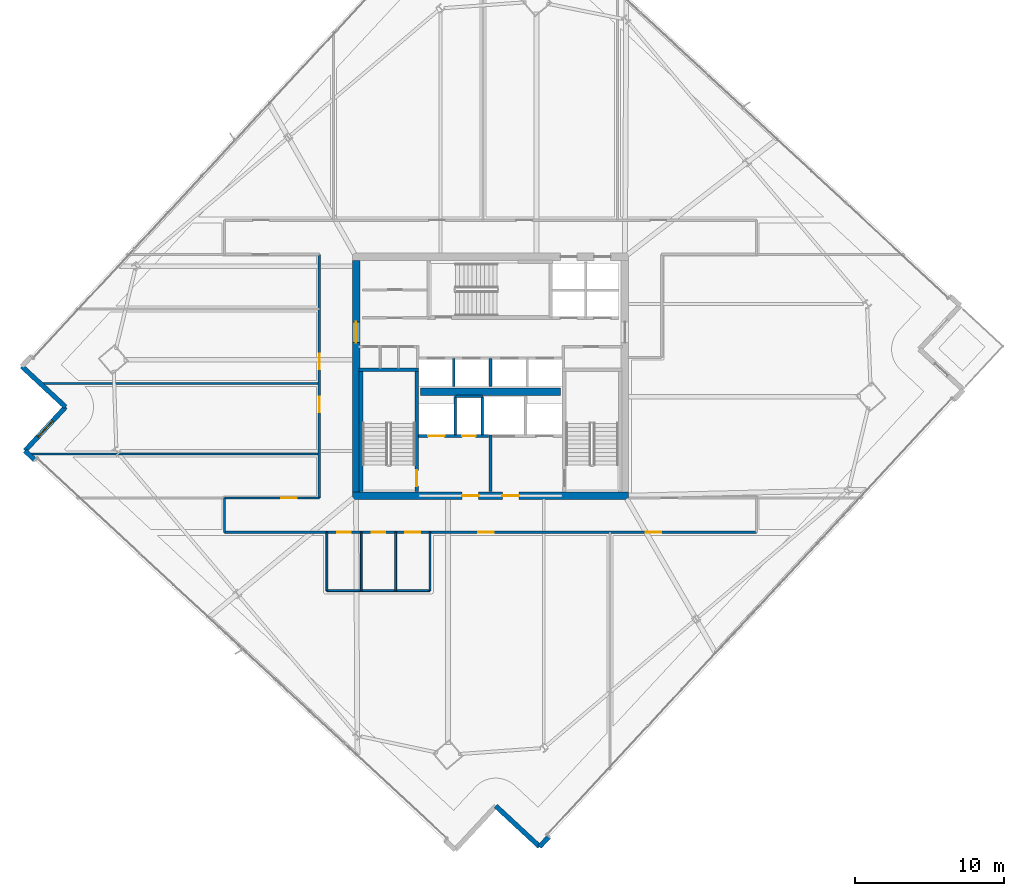
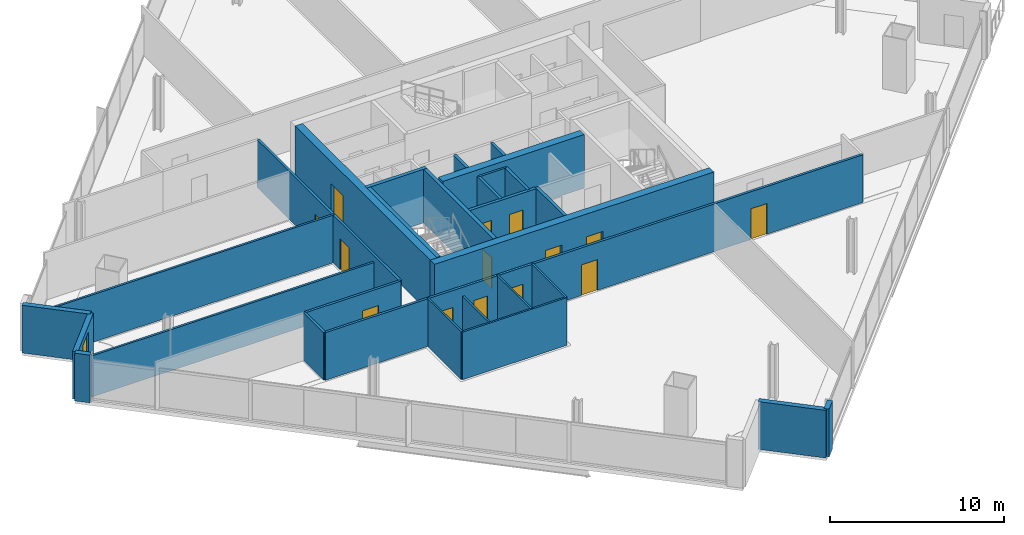
# One storey, part 24 of 32: 29 walls, 14 doors, 1 window, 15 openings.
"""IFC4 building model written with IfcOpenShell, lengths in metres."""

from ifc_helpers import new_model, si_unit, direction, frame, frame_2d, origin, place, context, subcontext, project, spatial, rectangle, extrude, material, layer, layer_set, type_object, element, fill, save


model = new_model("IFC4")

# Units and contexts
model_context = context("Model", 3, precision=1e-05, world=origin(), true_north=direction((0.0, 1.0)))
body_context = subcontext(model_context, "Body", "Model", "MODEL_VIEW")
ifc_project = project(units=[si_unit("LENGTHUNIT", "METRE"), si_unit("AREAUNIT", "SQUARE_METRE"), si_unit("VOLUMEUNIT", "CUBIC_METRE"), si_unit("PLANEANGLEUNIT", "RADIAN"), si_unit("MASSUNIT", "GRAM", prefix="KILO")], contexts=[model_context])

# Site, building, storey
site_placement = place(None, origin())
site = spatial("IfcSite", under=ifc_project, at=site_placement, CompositionType="ELEMENT")
building_placement = place(site_placement, origin())
building = spatial("IfcBuilding", under=site, at=building_placement, Name="Haldenkirk Collegiate Tower", CompositionType="ELEMENT")
storey_placement = place(building_placement, frame((0.0, 0.0, 185.699951171875)))
storey = spatial("IfcBuildingStorey", under=building, at=storey_placement, Name="L46", CompositionType="ELEMENT", Elevation=185.699951171875)

# Wall, openings, doors
ifc_material_1 = material(Name="Concrete f'c 55 MPa", Category="concrete")
ifc_layer_1 = layer(ifc_material_1, 0.5)
ifc_layer_set_1 = layer_set([ifc_layer_1], Name="Concrete f'c 55 MPa")
wall_type_1 = type_object("IfcWallType", Name="WL-CORE-500", PredefinedType="SHEAR", material=ifc_layer_set_1)
wall_1_placement = place(storey_placement, frame((26.75, 18.0, 0.0), z_axis=(0.0, 0.0, 1.0), x_axis=(1.0, 0.0, 0.0)))
wall_1 = element("IfcWall", 1, at=wall_1_placement, inside=storey, type_object=wall_type_1, Name="L46 central core shear wall S", PredefinedType="SHEAR", context=body_context, shape_type="SweptSolid", body=[
    extrude(rectangle(XDim=18.5, YDim=0.5, at=frame_2d((9.25, 0.0))), origin(), (0.0, 0.0, 1.0), 3.75),
])
opening_1_placement = place(wall_1_placement, frame((7.35009765625, 0.0, 0.0)))
opening_1 = element("IfcOpeningElement", 2, at=opening_1_placement, cuts=wall_1, Name="Opening D-02", PredefinedType="OPENING", context=body_context, shape_type="SweptSolid", body=[
    extrude(rectangle(XDim=1.10009765625, YDim=2.14990234375, at=frame_2d((0.550048828125, 1.074951171875))), frame((0.0, 0.260009765625, 0.0), z_axis=(0.0, -1.0, 0.0), x_axis=(1.0, 0.0, 0.0)), (0.0, 0.0, 1.0), 0.52001953125),
])
opening_2_placement = place(wall_1_placement, frame((10.050048828125, 0.0, 0.0)))
opening_2 = element("IfcOpeningElement", 3, at=opening_2_placement, cuts=wall_1, Name="Opening D-02", PredefinedType="OPENING", context=body_context, shape_type="SweptSolid", body=[
    extrude(rectangle(XDim=1.10009765625, YDim=2.14990234375, at=frame_2d((0.550048828125, 1.074951171875))), frame((0.0, 0.260009765625, 0.0), z_axis=(0.0, -1.0, 0.0), x_axis=(1.0, 0.0, 0.0)), (0.0, 0.0, 1.0), 0.52001953125),
])
ifc_material_2 = material(Name="Galvanized fire-rated hollow steel door", Category="steel")
ifc_layer_2 = layer(ifc_material_2, 0.06005859375)
ifc_layer_set_2 = layer_set([ifc_layer_2], Name="Galvanized fire-rated hollow steel door")
door_type_1 = type_object("IfcDoorType", Name="DR-STAIR-FD90-1100", OperationType="NOTDEFINED", PredefinedType="DOOR", material=ifc_layer_set_2)
door_1_placement = place(opening_1_placement, origin())
door_1 = element("IfcDoor", 4, at=door_1_placement, inside=storey, type_object=door_type_1, Name="L46 Firefighting Lobby 1 door", OperationType="SINGLE_SWING_RIGHT", OverallHeight=2.14990234375, OverallWidth=1.10009765625, PredefinedType="DOOR", context=body_context, shape_type="SweptSolid", body=[
    extrude(rectangle(XDim=1.10009765625, YDim=2.14990234375, at=frame_2d((0.550048828125, 1.074951171875))), frame((0.0, 0.02490234375, 0.0), z_axis=(0.0, -1.0, 0.0), x_axis=(1.0, 0.0, 0.0)), (0.0, 0.0, 1.0), 0.050048828125),
])
fill(opening_1, door_1)
door_2_placement = place(opening_2_placement, origin())
door_2 = element("IfcDoor", 5, at=door_2_placement, inside=storey, type_object=door_type_1, Name="L46 Firefighting Lobby 2 door", OperationType="SINGLE_SWING_LEFT", OverallHeight=2.14990234375, OverallWidth=1.10009765625, PredefinedType="DOOR", context=body_context, shape_type="SweptSolid", body=[
    extrude(rectangle(XDim=1.10009765625, YDim=2.14990234375, at=frame_2d((0.550048828125, 1.074951171875))), frame((0.0, 0.02490234375, 0.0), z_axis=(0.0, -1.0, 0.0), x_axis=(1.0, 0.0, 0.0)), (0.0, 0.0, 1.0), 0.050048828125),
])
fill(opening_2, door_2)

# Wall, opening, door
wall_2_placement = place(storey_placement, frame((27.0, 18.25, 0.0), z_axis=(0.0, 0.0, 1.0), x_axis=(0.0, 1.0, 0.0)))
wall_2 = element("IfcWall", 6, at=wall_2_placement, inside=storey, type_object=wall_type_1, Name="L46 central core shear wall W", PredefinedType="SHEAR", context=body_context, shape_type="SweptSolid", body=[
    extrude(rectangle(XDim=15.5, YDim=0.5, at=frame_2d((7.75, 0.0))), origin(), (0.0, 0.0, 1.0), 3.75),
])
opening_3_placement = place(wall_2_placement, frame((9.989990234375, 0.0, 0.0)))
opening_3 = element("IfcOpeningElement", 7, at=opening_3_placement, cuts=wall_2, Name="Opening D-03", PredefinedType="OPENING", context=body_context, shape_type="SweptSolid", body=[
    extrude(rectangle(XDim=1.39990234375, YDim=2.199951171875, at=frame_2d((0.699951171875, 1.10009765625))), frame((0.0, 0.260009765625, 0.0), z_axis=(0.0, -1.0, 0.0), x_axis=(1.0, 0.0, 0.0)), (0.0, 0.0, 1.0), 0.52001953125),
])
ifc_layer_3 = layer(ifc_material_2, 0.06005859375)
ifc_layer_set_3 = layer_set([ifc_layer_3], Name="Galvanized fire-rated hollow steel door")
door_type_2 = type_object("IfcDoorType", Name="DR-LOBBY-FD90-1400", OperationType="NOTDEFINED", PredefinedType="DOOR", material=ifc_layer_set_3)
door_3_placement = place(opening_3_placement, origin())
door_3 = element("IfcDoor", 8, at=door_3_placement, inside=storey, type_object=door_type_2, Name="L46 west lift lobby portal", OperationType="DOUBLE_DOOR_SINGLE_SWING", OverallHeight=2.199951171875, OverallWidth=1.39990234375, PredefinedType="DOOR", context=body_context, shape_type="SweptSolid", body=[
    extrude(rectangle(XDim=1.39990234375, YDim=2.199951171875, at=frame_2d((0.699951171875, 1.10009765625))), frame((0.0, 0.02490234375, 0.0), z_axis=(0.0, -1.0, 0.0), x_axis=(1.0, 0.0, 0.0)), (0.0, 0.0, 1.0), 0.050048828125),
])
fill(opening_3, door_3)

# Walls
wall_3_placement = place(storey_placement, frame((31.31005859375, 24.949951171875, 0.0), z_axis=(0.0, 0.0, 1.0), x_axis=(1.0, 0.0, 0.0)))
element("IfcWall", 9, at=wall_3_placement, inside=storey, type_object=wall_type_1, Name="L46 central core spine shear wall", PredefinedType="SHEAR", context=body_context, shape_type="SweptSolid", body=[
    extrude(rectangle(XDim=9.3798828125, YDim=0.5, at=frame_2d((4.68994140625, 0.0))), origin(), (0.0, 0.0, 1.0), 3.75),
])
ifc_material_3 = material(Name="Precast concrete f'c 40 MPa", Category="concrete")
ifc_layer_4 = layer(ifc_material_3, 0.320068359375)
ifc_layer_set_4 = layer_set([ifc_layer_4], Name="Precast concrete f'c 40 MPa")
wall_type_2 = type_object("IfcWallType", Name="WL-EXT-TWR-320", PredefinedType="STANDARD", material=ifc_layer_set_4)
wall_4_placement = place(storey_placement, frame((39.8994140625, -4.8291015625, 0.0), z_axis=(0.0, 0.0, 1.0), x_axis=(-0.680159672281, -0.733063994616, 0.0)))
element("IfcWall", 10, at=wall_4_placement, inside=storey, type_object=wall_type_2, Name="L46 precast corner pier SR", PredefinedType="STANDARD", context=body_context, shape_type="SweptSolid", body=[
    extrude(rectangle(XDim=0.89990234375, YDim=0.320068359375, at=frame_2d((0.449951171875, 0.0))), origin(), (0.0, 0.0, 1.0), 3.340087890625),
])
wall_5_placement = place(storey_placement, frame((7.560791015625, 23.941650390625, 0.0), z_axis=(0.0, 0.0, 1.0), x_axis=(-0.733128164665, 0.6800905044, 0.0)))
element("IfcWall", 11, at=wall_5_placement, inside=storey, type_object=wall_type_2, Name="L46 bronze precast notch wall 08", PredefinedType="STANDARD", context=body_context, shape_type="SweptSolid", body=[
    extrude(rectangle(XDim=4.000244140625, YDim=0.320068359375, at=frame_2d((2.0, 0.0))), origin(), (0.0, 0.0, 1.0), 3.340087890625),
])

# Wall, opening, window
wall_6_placement = place(storey_placement, frame((4.840576171875, 21.009033203125, 0.0), z_axis=(0.0, 0.0, 1.0), x_axis=(0.68005769854, 0.733158595841, 0.0)))
wall_6 = element("IfcWall", 12, at=wall_6_placement, inside=storey, type_object=wall_type_2, Name="L46 bronze precast notch wall 09", PredefinedType="STANDARD", context=body_context, shape_type="SweptSolid", body=[
    extrude(rectangle(XDim=4.0, YDim=0.320068359375, at=frame_2d((2.0, 0.0))), origin(), (0.0, 0.0, 1.0), 3.340087890625),
])
opening_4_placement = place(wall_6_placement, frame((1.27490234375, 0.0, 0.85009765625)))
opening_4 = element("IfcOpeningElement", 13, at=opening_4_placement, cuts=wall_6, Name="Opening W-05", PredefinedType="OPENING", context=body_context, shape_type="SweptSolid", body=[
    extrude(rectangle(XDim=1.449951171875, YDim=2.050048828125, at=frame_2d((0.72509765625, 1.02490234375))), frame((0.0, 0.169921875, 0.0), z_axis=(0.0, -1.0, 0.0), x_axis=(1.0, 0.0, 0.0)), (0.0, 0.0, 1.0), 0.340087890625),
])
ifc_material_4 = material(Name="Low-E argon triple insulating glass", Category="glass")
ifc_layer_5 = layer(ifc_material_4, 0.090087890625)
ifc_layer_set_5 = layer_set([ifc_layer_5], Name="Low-E argon triple insulating glass")
window_type = type_object("IfcWindowType", Name="WN-Z3-1450X2050", PartitioningType="SINGLE_PANEL", PredefinedType="WINDOW", material=ifc_layer_set_5)
window_placement = place(opening_4_placement, origin())
window = element("IfcWindow", 14, at=window_placement, inside=storey, type_object=window_type, Name="L46 precast-frame academic window 8", OverallHeight=2.050048828125, OverallWidth=1.449951171875, PartitioningType="SINGLE_PANEL", PredefinedType="WINDOW", context=body_context, shape_type="SweptSolid", body=[
    extrude(rectangle(XDim=1.449951171875, YDim=2.050048828125, at=frame_2d((0.72509765625, 1.02490234375))), frame((0.0, 0.030029296875, 0.0), z_axis=(0.0, -1.0, 0.0), x_axis=(1.0, 0.0, 0.0)), (0.0, 0.0, 1.0), 0.06005859375),
])
fill(opening_4, window)

# Walls
wall_7_placement = place(storey_placement, frame((5.500244140625, 20.39697265625, 0.0), z_axis=(0.0, 0.0, 1.0), x_axis=(-0.733063994616, 0.680159672281, 0.0)))
element("IfcWall", 15, at=wall_7_placement, inside=storey, type_object=wall_type_2, Name="L46 precast corner pier WR", PredefinedType="STANDARD", context=body_context, shape_type="SweptSolid", body=[
    extrude(rectangle(XDim=0.89990234375, YDim=0.320068359375, at=frame_2d((0.449951171875, 0.0))), origin(), (0.0, 0.0, 1.0), 3.340087890625),
])
wall_8_placement = place(storey_placement, frame((39.287353515625, -5.48876953125, 0.0), z_axis=(0.0, 0.0, 1.0), x_axis=(-0.733158595841, 0.68005769854, 0.0)))
element("IfcWall", 16, at=wall_8_placement, inside=storey, type_object=wall_type_2, Name="L46 bronze precast notch wall 12", PredefinedType="STANDARD", context=body_context, shape_type="SweptSolid", body=[
    extrude(rectangle(XDim=4.0, YDim=0.320068359375, at=frame_2d((2.0, 0.0))), origin(), (0.0, 0.0, 1.0), 3.340087890625),
])

# Wall, openings, doors
ifc_material_5 = material(Name="Acoustic fire-rated gypsum partition", Category="concrete")
ifc_layer_6 = layer(ifc_material_5, 0.159912109375)
ifc_layer_set_6 = layer_set([ifc_layer_6], Name="Acoustic fire-rated gypsum partition")
wall_type_3 = type_object("IfcWallType", Name="WL-INT-CORR-160", PredefinedType="PARTITIONING", material=ifc_layer_set_6)
wall_9_placement = place(storey_placement, frame((18.199951171875, 15.550048828125, 0.0), z_axis=(0.0, 0.0, 1.0), x_axis=(1.0, 0.0, 0.0)))
wall_9 = element("IfcWall", 17, at=wall_9_placement, inside=storey, type_object=wall_type_3, Name="L46 interior partition IW-L46-CS", PredefinedType="PARTITIONING", context=body_context, shape_type="SweptSolid", body=[
    extrude(rectangle(XDim=35.60009765625, YDim=0.159912109375, at=frame_2d((17.800048828125, 0.0))), origin(), (0.0, 0.0, 1.0), 3.340087890625),
])
opening_5_placement = place(wall_9_placement, frame((7.550048828125, 0.0, 0.0)))
opening_5 = element("IfcOpeningElement", 18, at=opening_5_placement, cuts=wall_9, Name="Opening D-13", PredefinedType="OPENING", context=body_context, shape_type="SweptSolid", body=[
    extrude(rectangle(XDim=0.89990234375, YDim=2.14990234375, at=frame_2d((0.449951171875, 1.074951171875))), frame((0.0, 0.08984375, 0.0), z_axis=(0.0, -1.0, 0.0), x_axis=(1.0, 0.0, 0.0)), (0.0, 0.0, 1.0), 0.179931640625),
])
opening_6_placement = place(wall_9_placement, frame((9.85009765625, 0.0, 0.0)))
opening_6 = element("IfcOpeningElement", 19, at=opening_6_placement, cuts=wall_9, Name="Opening D-13", PredefinedType="OPENING", context=body_context, shape_type="SweptSolid", body=[
    extrude(rectangle(XDim=0.89990234375, YDim=2.14990234375, at=frame_2d((0.449951171875, 1.074951171875))), frame((0.0, 0.08984375, 0.0), z_axis=(0.0, -1.0, 0.0), x_axis=(1.0, 0.0, 0.0)), (0.0, 0.0, 1.0), 0.179931640625),
])
opening_7_placement = place(wall_9_placement, frame((12.10009765625, 0.0, 0.0)))
opening_7 = element("IfcOpeningElement", 20, at=opening_7_placement, cuts=wall_9, Name="Opening D-14", PredefinedType="OPENING", context=body_context, shape_type="SweptSolid", body=[
    extrude(rectangle(XDim=1.0, YDim=2.14990234375, at=frame_2d((0.5, 1.074951171875))), frame((0.0, 0.08984375, 0.0), z_axis=(0.0, -1.0, 0.0), x_axis=(1.0, 0.0, 0.0)), (0.0, 0.0, 1.0), 0.179931640625),
])
opening_8_placement = place(wall_9_placement, frame((16.97509765625, 0.0, 0.0)))
opening_8 = element("IfcOpeningElement", 21, at=opening_8_placement, cuts=wall_9, Name="Opening D-09", PredefinedType="OPENING", context=body_context, shape_type="SweptSolid", body=[
    extrude(rectangle(XDim=1.050048828125, YDim=2.14990234375, at=frame_2d((0.52490234375, 1.074951171875))), frame((0.0, 0.08984375, 0.0), z_axis=(0.0, -1.0, 0.0), x_axis=(1.0, 0.0, 0.0)), (0.0, 0.0, 1.0), 0.179931640625),
])
opening_9_placement = place(wall_9_placement, frame((28.18505859375, 0.0, 0.0)))
opening_9 = element("IfcOpeningElement", 22, at=opening_9_placement, cuts=wall_9, Name="Opening D-09", PredefinedType="OPENING", context=body_context, shape_type="SweptSolid", body=[
    extrude(rectangle(XDim=1.050048828125, YDim=2.14990234375, at=frame_2d((0.52490234375, 1.074951171875))), frame((0.0, 0.08984375, 0.0), z_axis=(0.0, -1.0, 0.0), x_axis=(1.0, 0.0, 0.0)), (0.0, 0.0, 1.0), 0.179931640625),
])
ifc_material_6 = material(Name="Solid-core architectural oak fire door", Category="wood")
ifc_layer_7 = layer(ifc_material_6, 0.06005859375)
ifc_layer_set_7 = layer_set([ifc_layer_7], Name="Solid-core architectural oak fire door")
door_type_3 = type_object("IfcDoorType", Name="DR-INT-ACC-1000", OperationType="NOTDEFINED", PredefinedType="DOOR", material=ifc_layer_set_7)
door_4_placement = place(opening_7_placement, origin())
door_4 = element("IfcDoor", 23, at=door_4_placement, inside=storey, type_object=door_type_3, Name="L46 Accessible WC door", OperationType="SINGLE_SWING_LEFT", OverallHeight=2.14990234375, OverallWidth=1.0, PredefinedType="DOOR", context=body_context, shape_type="SweptSolid", body=[
    extrude(rectangle(XDim=1.0, YDim=2.14990234375, at=frame_2d((0.5, 1.074951171875))), frame((0.0, 0.02490234375, 0.0), z_axis=(0.0, -1.0, 0.0), x_axis=(1.0, 0.0, 0.0)), (0.0, 0.0, 1.0), 0.050048828125),
])
fill(opening_7, door_4)
ifc_layer_8 = layer(ifc_material_6, 0.06005859375)
ifc_layer_set_8 = layer_set([ifc_layer_8], Name="Solid-core architectural oak fire door")
door_type_4 = type_object("IfcDoorType", Name="DR-INT-FD60-1050", OperationType="NOTDEFINED", PredefinedType="DOOR", material=ifc_layer_set_8)
door_5_placement = place(opening_8_placement, origin())
door_5 = element("IfcDoor", 24, at=door_5_placement, inside=storey, type_object=door_type_4, Name="L46 Academic Press Bookshop 1 door", OperationType="SINGLE_SWING_RIGHT", OverallHeight=2.14990234375, OverallWidth=1.050048828125, PredefinedType="DOOR", context=body_context, shape_type="SweptSolid", body=[
    extrude(rectangle(XDim=1.050048828125, YDim=2.14990234375, at=frame_2d((0.52490234375, 1.074951171875))), frame((0.0, 0.02490234375, 0.0), z_axis=(0.0, -1.0, 0.0), x_axis=(1.0, 0.0, 0.0)), (0.0, 0.0, 1.0), 0.050048828125),
])
fill(opening_8, door_5)
door_6_placement = place(opening_9_placement, origin())
door_6 = element("IfcDoor", 25, at=door_6_placement, inside=storey, type_object=door_type_4, Name="L46 Campus Print Shop 2 door", OperationType="SINGLE_SWING_LEFT", OverallHeight=2.14990234375, OverallWidth=1.050048828125, PredefinedType="DOOR", context=body_context, shape_type="SweptSolid", body=[
    extrude(rectangle(XDim=1.050048828125, YDim=2.14990234375, at=frame_2d((0.52490234375, 1.074951171875))), frame((0.0, 0.02490234375, 0.0), z_axis=(0.0, -1.0, 0.0), x_axis=(1.0, 0.0, 0.0)), (0.0, 0.0, 1.0), 0.050048828125),
])
fill(opening_9, door_6)
ifc_layer_9 = layer(ifc_material_6, 0.06005859375)
ifc_layer_set_9 = layer_set([ifc_layer_9], Name="Solid-core architectural oak fire door")
door_type_5 = type_object("IfcDoorType", Name="DR-INT-STD-900", OperationType="NOTDEFINED", PredefinedType="DOOR", material=ifc_layer_set_9)
door_7_placement = place(opening_5_placement, origin())
door_7 = element("IfcDoor", 26, at=door_7_placement, inside=storey, type_object=door_type_5, Name="L46 Male WC door", OperationType="SINGLE_SWING_LEFT", OverallHeight=2.14990234375, OverallWidth=0.89990234375, PredefinedType="DOOR", context=body_context, shape_type="SweptSolid", body=[
    extrude(rectangle(XDim=0.89990234375, YDim=2.14990234375, at=frame_2d((0.449951171875, 1.074951171875))), frame((0.0, 0.02490234375, 0.0), z_axis=(0.0, -1.0, 0.0), x_axis=(1.0, 0.0, 0.0)), (0.0, 0.0, 1.0), 0.050048828125),
])
fill(opening_5, door_7)
door_8_placement = place(opening_6_placement, origin())
door_8 = element("IfcDoor", 27, at=door_8_placement, inside=storey, type_object=door_type_5, Name="L46 Female WC door", OperationType="SINGLE_SWING_RIGHT", OverallHeight=2.14990234375, OverallWidth=0.89990234375, PredefinedType="DOOR", context=body_context, shape_type="SweptSolid", body=[
    extrude(rectangle(XDim=0.89990234375, YDim=2.14990234375, at=frame_2d((0.449951171875, 1.074951171875))), frame((0.0, 0.02490234375, 0.0), z_axis=(0.0, -1.0, 0.0), x_axis=(1.0, 0.0, 0.0)), (0.0, 0.0, 1.0), 0.050048828125),
])
fill(opening_6, door_8)

# Wall, opening, door
wall_10_placement = place(storey_placement, frame((18.199951171875, 17.85009765625, 0.0), z_axis=(0.0, 0.0, 1.0), x_axis=(1.0, 0.0, 0.0)))
wall_10 = element("IfcWall", 28, at=wall_10_placement, inside=storey, type_object=wall_type_3, Name="L46 interior partition IW-L46-CSW", PredefinedType="PARTITIONING", context=body_context, shape_type="SweptSolid", body=[
    extrude(rectangle(XDim=6.35009765625, YDim=0.159912109375, at=frame_2d((3.175048828125, 0.0))), origin(), (0.0, 0.0, 1.0), 3.340087890625),
])
opening_10_placement = place(wall_10_placement, frame((3.79296875, 0.0, 0.0)))
opening_10 = element("IfcOpeningElement", 29, at=opening_10_placement, cuts=wall_10, Name="Opening D-09", PredefinedType="OPENING", context=body_context, shape_type="SweptSolid", body=[
    extrude(rectangle(XDim=1.050048828125, YDim=2.14990234375, at=frame_2d((0.52490234375, 1.074951171875))), frame((0.0, 0.08984375, 0.0), z_axis=(0.0, -1.0, 0.0), x_axis=(1.0, 0.0, 0.0)), (0.0, 0.0, 1.0), 0.179931640625),
])
door_9_placement = place(opening_10_placement, origin())
door_9 = element("IfcDoor", 30, at=door_9_placement, inside=storey, type_object=door_type_4, Name="L46 Academic Press Bookshop 7 door", OperationType="SINGLE_SWING_RIGHT", OverallHeight=2.14990234375, OverallWidth=1.050048828125, PredefinedType="DOOR", context=body_context, shape_type="SweptSolid", body=[
    extrude(rectangle(XDim=1.050048828125, YDim=2.14990234375, at=frame_2d((0.52490234375, 1.074951171875))), frame((0.0, 0.02490234375, 0.0), z_axis=(0.0, -1.0, 0.0), x_axis=(1.0, 0.0, 0.0)), (0.0, 0.0, 1.0), 0.050048828125),
])
fill(opening_10, door_9)

# Wall, openings, doors
wall_11_placement = place(storey_placement, frame((24.550048828125, 17.85009765625, 0.0), z_axis=(0.0, 0.0, 1.0), x_axis=(0.0, 1.0, 0.0)))
wall_11 = element("IfcWall", 31, at=wall_11_placement, inside=storey, type_object=wall_type_3, Name="L46 interior partition IW-L46-CW", PredefinedType="PARTITIONING", context=body_context, shape_type="SweptSolid", body=[
    extrude(rectangle(XDim=16.2998046875, YDim=0.159912109375, at=frame_2d((8.14990234375, 0.0))), origin(), (0.0, 0.0, 1.0), 3.340087890625),
])
opening_11_placement = place(wall_11_placement, frame((5.740966796875, 0.0, 0.0)))
opening_11 = element("IfcOpeningElement", 32, at=opening_11_placement, cuts=wall_11, Name="Opening D-09", PredefinedType="OPENING", context=body_context, shape_type="SweptSolid", body=[
    extrude(rectangle(XDim=1.050048828125, YDim=2.14990234375, at=frame_2d((0.52490234375, 1.074951171875))), frame((0.0, 0.08984375, 0.0), z_axis=(0.0, -1.0, 0.0), x_axis=(1.0, 0.0, 0.0)), (0.0, 0.0, 1.0), 0.179931640625),
])
opening_12_placement = place(wall_11_placement, frame((8.60498046875, 0.0, 0.0)))
opening_12 = element("IfcOpeningElement", 33, at=opening_12_placement, cuts=wall_11, Name="Opening D-09", PredefinedType="OPENING", context=body_context, shape_type="SweptSolid", body=[
    extrude(rectangle(XDim=1.050048828125, YDim=2.14990234375, at=frame_2d((0.52490234375, 1.074951171875))), frame((0.0, 0.08984375, 0.0), z_axis=(0.0, -1.0, 0.0), x_axis=(1.0, 0.0, 0.0)), (0.0, 0.0, 1.0), 0.179931640625),
])
door_10_placement = place(opening_11_placement, origin())
door_10 = element("IfcDoor", 34, at=door_10_placement, inside=storey, type_object=door_type_4, Name="L46 Campus Print Shop 8 door", OperationType="SINGLE_SWING_LEFT", OverallHeight=2.14990234375, OverallWidth=1.050048828125, PredefinedType="DOOR", context=body_context, shape_type="SweptSolid", body=[
    extrude(rectangle(XDim=1.050048828125, YDim=2.14990234375, at=frame_2d((0.52490234375, 1.074951171875))), frame((0.0, 0.02490234375, 0.0), z_axis=(0.0, -1.0, 0.0), x_axis=(1.0, 0.0, 0.0)), (0.0, 0.0, 1.0), 0.050048828125),
])
fill(opening_11, door_10)
door_11_placement = place(opening_12_placement, origin())
door_11 = element("IfcDoor", 35, at=door_11_placement, inside=storey, type_object=door_type_4, Name="L46 Hospitality Tea Kitchen 9 door", OperationType="SINGLE_SWING_RIGHT", OverallHeight=2.14990234375, OverallWidth=1.050048828125, PredefinedType="DOOR", context=body_context, shape_type="SweptSolid", body=[
    extrude(rectangle(XDim=1.050048828125, YDim=2.14990234375, at=frame_2d((0.52490234375, 1.074951171875))), frame((0.0, 0.02490234375, 0.0), z_axis=(0.0, -1.0, 0.0), x_axis=(1.0, 0.0, 0.0)), (0.0, 0.0, 1.0), 0.050048828125),
])
fill(opening_12, door_11)

# Walls
wall_12_placement = place(storey_placement, frame((18.199951171875, 15.550048828125, 0.0), z_axis=(0.0, 0.0, 1.0), x_axis=(0.0, 1.0, 0.0)))
element("IfcWall", 36, at=wall_12_placement, inside=storey, type_object=wall_type_3, Name="L46 interior partition IW-L46-CSL", PredefinedType="PARTITIONING", context=body_context, shape_type="SweptSolid", body=[
    extrude(rectangle(XDim=2.300048828125, YDim=0.159912109375, at=frame_2d((1.14990234375, 0.0))), origin(), (0.0, 0.0, 1.0), 3.340087890625),
])
ifc_layer_10 = layer(ifc_material_5, 0.139892578125)
ifc_layer_set_10 = layer_set([ifc_layer_10], Name="Acoustic fire-rated gypsum partition")
wall_type_4 = type_object("IfcWallType", Name="WL-INT-DIV-140", PredefinedType="PARTITIONING", material=ifc_layer_set_10)
wall_13_placement = place(storey_placement, frame((5.124755859375, 20.800048828125, 0.0), z_axis=(0.0, 0.0, 1.0), x_axis=(1.0, 0.0, 0.0)))
element("IfcWall", 37, at=wall_13_placement, inside=storey, type_object=wall_type_4, Name="L46 interior partition IW-L46-RW1", PredefinedType="PARTITIONING", context=body_context, shape_type="SweptSolid", body=[
    extrude(rectangle(XDim=19.42529296875, YDim=0.139892578125, at=frame_2d((9.712646484375, 0.0))), origin(), (0.0, 0.0, 1.0), 2.8779296875),
])
wall_14_placement = place(storey_placement, frame((5.939697265625, 25.5, 0.0), z_axis=(0.0, 0.0, 1.0), x_axis=(1.0, 0.0, 0.0)))
element("IfcWall", 38, at=wall_14_placement, inside=storey, type_object=wall_type_4, Name="L46 interior partition IW-L46-RW2", PredefinedType="PARTITIONING", context=body_context, shape_type="SweptSolid", body=[
    extrude(rectangle(XDim=18.6103515625, YDim=0.139892578125, at=frame_2d((9.30517578125, 0.0))), origin(), (0.0, 0.0, 1.0), 3.340087890625),
])
ifc_material_7 = material(Name="Fire-rated gypsum shaftboard assembly", Category="concrete")
ifc_layer_11 = layer(ifc_material_7, 0.179931640625)
ifc_layer_set_11 = layer_set([ifc_layer_11], Name="Fire-rated gypsum shaftboard assembly")
wall_type_5 = type_object("IfcWallType", Name="WL-INT-SHAFT-180", PredefinedType="PARTITIONING", material=ifc_layer_set_11)
for number, where, z_axis, x_axis, name in (
    (39, (33.64990234375, 22.050048828125, 0.0), (0.0, 0.0, 1.0), (0.0, 1.0, 0.0), "L46 interior partition IW-L46-FL1E"),
    (40, (35.449951171875, 22.050048828125, 0.0), (0.0, 0.0, 1.0), (0.0, 1.0, 0.0), "L46 interior partition IW-L46-GL1W"),
):
    element("IfcWall", number, at=place(storey_placement, frame(where, z_axis=z_axis, x_axis=x_axis)), inside=storey, type_object=wall_type_5, Name=name, PredefinedType="PARTITIONING", context=body_context, shape_type="SweptSolid", body=[
        extrude(rectangle(XDim=2.599853515625, YDim=0.179931640625, at=frame_2d((1.2998046875, 0.0))), origin(), (0.0, 0.0, 1.0), 3.340087890625),
    ])
wall_15_placement = place(storey_placement, frame((33.64990234375, 24.64990234375, 0.0), z_axis=(0.0, 0.0, 1.0), x_axis=(1.0, 0.0, 0.0)))
element("IfcWall", 41, at=wall_15_placement, inside=storey, type_object=wall_type_5, Name="L46 interior partition IW-L46-RSRN", PredefinedType="PARTITIONING", context=body_context, shape_type="SweptSolid", body=[
    extrude(rectangle(XDim=1.800048828125, YDim=0.179931640625, at=frame_2d((0.89990234375, 0.0))), origin(), (0.0, 0.0, 1.0), 3.340087890625),
])
for number, where, z_axis, x_axis, name in (
    (42, (33.5400390625, 25.300048828125, 0.0), (0.0, 0.0, 1.0), (0.0, 1.0, 0.0), "L46 interior partition IW-L46-PHV1"),
    (43, (36.0, 25.300048828125, 0.0), (0.0, 0.0, 1.0), (0.0, 1.0, 0.0), "L46 interior partition IW-L46-PHV2"),
):
    element("IfcWall", number, at=place(storey_placement, frame(where, z_axis=z_axis, x_axis=x_axis)), inside=storey, type_object=wall_type_5, Name=name, PredefinedType="PARTITIONING", context=body_context, shape_type="SweptSolid", body=[
        extrude(rectangle(XDim=1.89990234375, YDim=0.179931640625, at=frame_2d((0.949951171875, 0.0))), origin(), (0.0, 0.0, 1.0), 3.340087890625),
    ])
ifc_layer_12 = layer(ifc_material_7, 0.199951171875)
ifc_layer_set_12 = layer_set([ifc_layer_12], Name="Fire-rated gypsum shaftboard assembly")
wall_type_6 = type_object("IfcWallType", Name="WL-INT-SHAFT-200", PredefinedType="PARTITIONING", material=ifc_layer_set_12)
wall_16_placement = place(storey_placement, frame((36.0, 18.280029296875, 0.0), z_axis=(0.0, 0.0, 1.0), x_axis=(0.0, 1.0, 0.0)))
element("IfcWall", 44, at=wall_16_placement, inside=storey, type_object=wall_type_6, Name="L46 interior partition IW-L46-FFLM", PredefinedType="PARTITIONING", context=body_context, shape_type="SweptSolid", body=[
    extrude(rectangle(XDim=3.77001953125, YDim=0.199951171875, at=frame_2d((1.885009765625, 0.0))), origin(), (0.0, 0.0, 1.0), 3.340087890625),
])

# Wall, openings, doors
wall_17_placement = place(storey_placement, frame((31.18994140625, 22.0, 0.0), z_axis=(0.0, 0.0, 1.0), x_axis=(1.0, 0.0, 0.0)))
wall_17 = element("IfcWall", 45, at=wall_17_placement, inside=storey, type_object=wall_type_6, Name="L46 interior partition IW-L46-FFL1N", PredefinedType="PARTITIONING", context=body_context, shape_type="SweptSolid", body=[
    extrude(rectangle(XDim=4.68994140625, YDim=0.199951171875, at=frame_2d((2.344970703125, 0.0))), origin(), (0.0, 0.0, 1.0), 3.340087890625),
])
opening_13_placement = place(wall_17_placement, frame((2.909912109375, 0.0, 0.0)))
opening_13 = element("IfcOpeningElement", 46, at=opening_13_placement, cuts=wall_17, Name="Opening D-06", PredefinedType="OPENING", context=body_context, shape_type="SweptSolid", body=[
    extrude(rectangle(XDim=0.89990234375, YDim=2.14990234375, at=frame_2d((0.449951171875, 1.074951171875))), frame((0.0, 0.10986328125, 0.0), z_axis=(0.0, -1.0, 0.0), x_axis=(1.0, 0.0, 0.0)), (0.0, 0.0, 1.0), 0.219970703125),
])
opening_14_placement = place(wall_17_placement, frame((0.635009765625, 0.0, 0.0)))
opening_14 = element("IfcOpeningElement", 47, at=opening_14_placement, cuts=wall_17, Name="Opening LD-12", PredefinedType="OPENING", context=body_context, shape_type="SweptSolid", body=[
    extrude(rectangle(XDim=1.10009765625, YDim=2.14990234375, at=frame_2d((0.550048828125, 1.074951171875))), frame((0.0, 0.10986328125, 0.0), z_axis=(0.0, -1.0, 0.0), x_axis=(1.0, 0.0, 0.0)), (0.0, 0.0, 1.0), 0.219970703125),
])
ifc_layer_13 = layer(ifc_material_2, 0.06005859375)
ifc_layer_set_13 = layer_set([ifc_layer_13], Name="Galvanized fire-rated hollow steel door")
door_type_6 = type_object("IfcDoorType", Name="DR-INT-FD90-900", OperationType="NOTDEFINED", PredefinedType="DOOR", material=ifc_layer_set_13)
door_12_placement = place(opening_13_placement, origin())
door_12 = element("IfcDoor", 48, at=door_12_placement, inside=storey, type_object=door_type_6, Name="L46 electrical riser door", OperationType="SINGLE_SWING_RIGHT", OverallHeight=2.14990234375, OverallWidth=0.89990234375, PredefinedType="DOOR", context=body_context, shape_type="SweptSolid", body=[
    extrude(rectangle(XDim=0.89990234375, YDim=2.14990234375, at=frame_2d((0.449951171875, 1.074951171875))), frame((0.0, 0.02490234375, 0.0), z_axis=(0.0, -1.0, 0.0), x_axis=(1.0, 0.0, 0.0)), (0.0, 0.0, 1.0), 0.050048828125),
])
fill(opening_13, door_12)
ifc_material_8 = material(Name="Brushed architectural stainless steel", Category="steel")
ifc_layer_14 = layer(ifc_material_8, 0.06005859375)
ifc_layer_set_14 = layer_set([ifc_layer_14], Name="Brushed architectural stainless steel")
door_type_7 = type_object("IfcDoorType", Name="LD-FIRE-1100", OperationType="NOTDEFINED", PredefinedType="DOOR", material=ifc_layer_set_14)
door_13_placement = place(opening_14_placement, origin())
door_13 = element("IfcDoor", 49, at=door_13_placement, inside=storey, type_object=door_type_7, Name="L46 Elevator FL1 sliding landing door", OperationType="SLIDING_TO_LEFT", OverallHeight=2.14990234375, OverallWidth=1.10009765625, PredefinedType="DOOR", context=body_context, shape_type="SweptSolid", body=[
    extrude(rectangle(XDim=1.10009765625, YDim=2.14990234375, at=frame_2d((0.550048828125, 1.074951171875))), frame((0.0, 0.02490234375, 0.0), z_axis=(0.0, -1.0, 0.0), x_axis=(1.0, 0.0, 0.0)), (0.0, 0.0, 1.0), 0.050048828125),
])
fill(opening_14, door_13)

# Walls
ifc_layer_15 = layer(ifc_material_5, 0.1201171875)
ifc_layer_set_15 = layer_set([ifc_layer_15], Name="Acoustic fire-rated gypsum partition")
wall_type_7 = type_object("IfcWallType", Name="WL-INT-WET-120", PredefinedType="PARTITIONING", material=ifc_layer_set_15)
wall_18_placement = place(storey_placement, frame((25.050048828125, 11.64990234375, 0.0), z_axis=(0.0, 0.0, 1.0), x_axis=(0.0, 1.0, 0.0)))
element("IfcWall", 50, at=wall_18_placement, inside=storey, type_object=wall_type_7, Name="L46 interior partition IW-L46-WCW", PredefinedType="PARTITIONING", context=body_context, shape_type="SweptSolid", body=[
    extrude(rectangle(XDim=3.900146484375, YDim=0.1201171875, at=frame_2d((1.9501953125, 0.0))), origin(), (0.0, 0.0, 1.0), 3.340087890625),
])
wall_19_placement = place(storey_placement, frame((27.35009765625, 11.64990234375, 0.0), z_axis=(0.0, 0.0, 1.0), x_axis=(0.0, 1.0, 0.0)))
element("IfcWall", 51, at=wall_19_placement, inside=storey, type_object=wall_type_7, Name="L46 interior partition IW-L46-WC1", PredefinedType="PARTITIONING", context=body_context, shape_type="SweptSolid", body=[
    extrude(rectangle(XDim=3.900146484375, YDim=0.1201171875, at=frame_2d((1.9501953125, 0.0))), origin(), (0.0, 0.0, 1.0), 2.718994140625),
])
for number, where, z_axis, x_axis, name in (
    (52, (29.64990234375, 11.64990234375, 0.0), (0.0, 0.0, 1.0), (0.0, 1.0, 0.0), "L46 interior partition IW-L46-WC2"),
    (53, (31.949951171875, 11.64990234375, 0.0), (0.0, 0.0, 1.0), (0.0, 1.0, 0.0), "L46 interior partition IW-L46-WCE"),
):
    element("IfcWall", number, at=place(storey_placement, frame(where, z_axis=z_axis, x_axis=x_axis)), inside=storey, type_object=wall_type_7, Name=name, PredefinedType="PARTITIONING", context=body_context, shape_type="SweptSolid", body=[
        extrude(rectangle(XDim=3.900146484375, YDim=0.1201171875, at=frame_2d((1.9501953125, 0.0))), origin(), (0.0, 0.0, 1.0), 3.340087890625),
    ])
wall_20_placement = place(storey_placement, frame((25.050048828125, 11.64990234375, 0.0), z_axis=(0.0, 0.0, 1.0), x_axis=(1.0, 0.0, 0.0)))
element("IfcWall", 54, at=wall_20_placement, inside=storey, type_object=wall_type_7, Name="L46 interior partition IW-L46-WCB", PredefinedType="PARTITIONING", context=body_context, shape_type="SweptSolid", body=[
    extrude(rectangle(XDim=6.89990234375, YDim=0.1201171875, at=frame_2d((3.449951171875, 0.0))), origin(), (0.0, 0.0, 1.0), 3.340087890625),
])

# Wall, opening, door
ifc_layer_16 = layer(ifc_material_1, 0.239990234375)
ifc_layer_set_16 = layer_set([ifc_layer_16], Name="Concrete f'c 55 MPa")
wall_type_8 = type_object("IfcWallType", Name="WL-SHAFT-240", PredefinedType="SHEAR", material=ifc_layer_set_16)
wall_21_placement = place(storey_placement, frame((31.070068359375, 18.280029296875, 0.0), z_axis=(0.0, 0.0, 1.0), x_axis=(0.0, 1.0, 0.0)))
wall_21 = element("IfcWall", 55, at=wall_21_placement, inside=storey, type_object=wall_type_8, Name="L46 stair shaft shear wall SW-L46-ST1E", PredefinedType="SHEAR", context=body_context, shape_type="SweptSolid", body=[
    extrude(rectangle(XDim=8.260009765625, YDim=0.239990234375, at=frame_2d((4.1298828125, 0.0))), origin(), (0.0, 0.0, 1.0), 3.75),
])
opening_15_placement = place(wall_21_placement, frame((0.364990234375, 0.0, 0.0)))
opening_15 = element("IfcOpeningElement", 56, at=opening_15_placement, cuts=wall_21, Name="Opening D-01", PredefinedType="OPENING", context=body_context, shape_type="SweptSolid", body=[
    extrude(rectangle(XDim=1.050048828125, YDim=2.14990234375, at=frame_2d((0.52490234375, 1.074951171875))), frame((0.0, 0.1298828125, 0.0), z_axis=(0.0, -1.0, 0.0), x_axis=(1.0, 0.0, 0.0)), (0.0, 0.0, 1.0), 0.260009765625),
])
ifc_layer_17 = layer(ifc_material_2, 0.06005859375)
ifc_layer_set_17 = layer_set([ifc_layer_17], Name="Galvanized fire-rated hollow steel door")
door_type_8 = type_object("IfcDoorType", Name="DR-STAIR-FD90-1050", OperationType="NOTDEFINED", PredefinedType="DOOR", material=ifc_layer_set_17)
door_14_placement = place(opening_15_placement, origin())
door_14 = element("IfcDoor", 57, at=door_14_placement, inside=storey, type_object=door_type_8, Name="L46 Stair 1 door", OperationType="SINGLE_SWING_LEFT", OverallHeight=2.14990234375, OverallWidth=1.050048828125, PredefinedType="DOOR", context=body_context, shape_type="SweptSolid", body=[
    extrude(rectangle(XDim=1.050048828125, YDim=2.14990234375, at=frame_2d((0.52490234375, 1.074951171875))), frame((0.0, 0.02490234375, 0.0), z_axis=(0.0, -1.0, 0.0), x_axis=(1.0, 0.0, 0.0)), (0.0, 0.0, 1.0), 0.050048828125),
])
fill(opening_15, door_14)

# Walls
wall_22_placement = place(storey_placement, frame((27.2099609375, 26.419921875, 0.0), z_axis=(0.0, 0.0, 1.0), x_axis=(1.0, 0.0, 0.0)))
element("IfcWall", 58, at=wall_22_placement, inside=storey, type_object=wall_type_8, Name="L46 stair shaft shear wall SW-L46-ST1N", PredefinedType="SHEAR", context=body_context, shape_type="SweptSolid", body=[
    extrude(rectangle(XDim=3.97998046875, YDim=0.239990234375, at=frame_2d((1.989990234375, 0.0))), origin(), (0.0, 0.0, 1.0), 3.75),
])
wall_23_placement = place(storey_placement, frame((27.330078125, 18.280029296875, 0.0), z_axis=(0.0, 0.0, 1.0), x_axis=(0.0, 1.0, 0.0)))
element("IfcWall", 59, at=wall_23_placement, inside=storey, type_object=wall_type_8, Name="L46 stair shaft shear wall SW-L46-ST1W", PredefinedType="SHEAR", context=body_context, shape_type="SweptSolid", body=[
    extrude(rectangle(XDim=8.260009765625, YDim=0.239990234375, at=frame_2d((4.1298828125, 0.0))), origin(), (0.0, 0.0, 1.0), 3.75),
])

save(model, "model.ifc")
